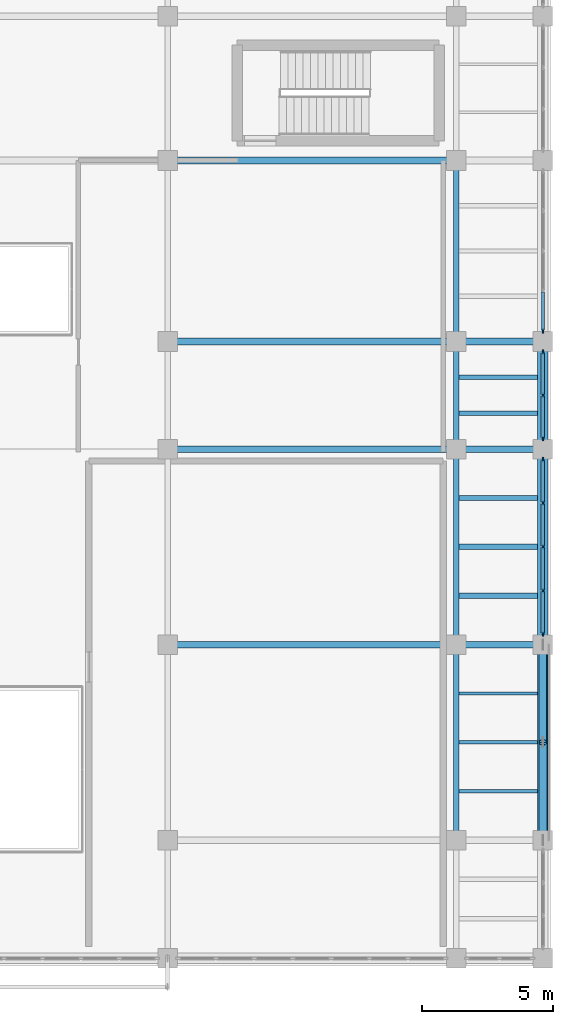
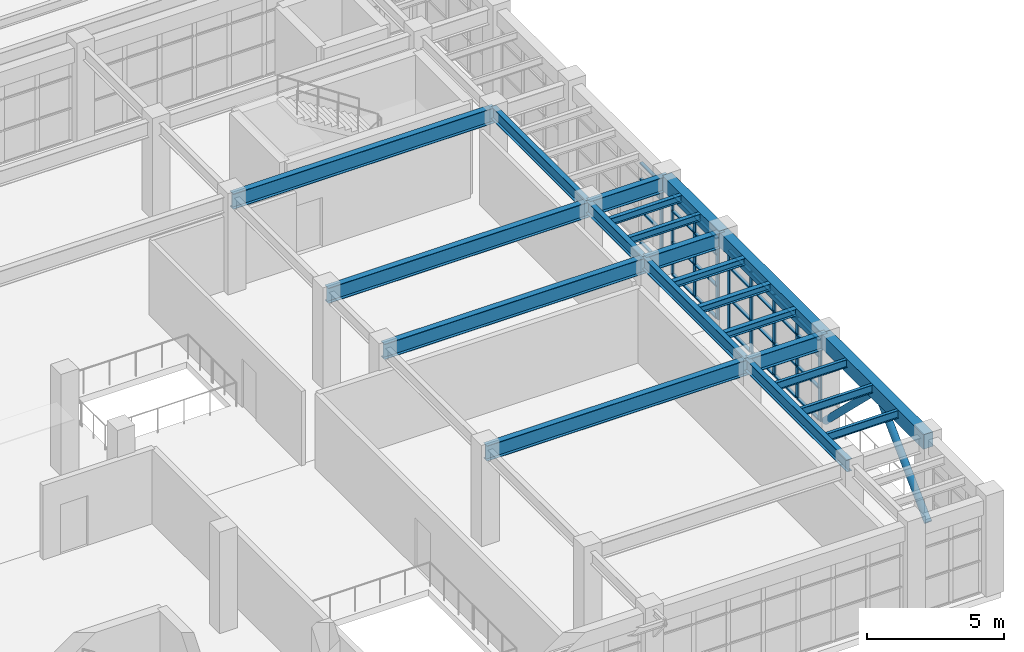
# One storey, part 40 of 85: 39 members, 22 beams, 3 elements without a shape of their own.
"""IFC4 building model written with IfcOpenShell, lengths in metres."""

from ifc_helpers import new_model, si_unit, direction, frame, origin, origin_2d, place, context, subcontext, project, spatial, rectangle, hollow_circle, i_section, extrude, material, layer, layer_set, material_profile, profile_set, type_object, element, aggregate, save


model = new_model("IFC4")

# Units and contexts
model_context = context("Model", 3, precision=1e-05, world=origin(), true_north=direction((0.0, 1.0)))
body_context = subcontext(model_context, "Body", "Model", "MODEL_VIEW")
ifc_project = project(units=[si_unit("LENGTHUNIT", "METRE"), si_unit("AREAUNIT", "SQUARE_METRE"), si_unit("VOLUMEUNIT", "CUBIC_METRE"), si_unit("PLANEANGLEUNIT", "RADIAN"), si_unit("MASSUNIT", "GRAM", prefix="KILO")], contexts=[model_context])

# Site, building, storey
site_placement = place(None, origin())
site = spatial("IfcSite", under=ifc_project, at=site_placement, CompositionType="ELEMENT")
building_placement = place(site_placement, origin())
building = spatial("IfcBuilding", under=site, at=building_placement, Name="Candilejo Ridge Gondola Terminal", CompositionType="ELEMENT")
storey_placement = place(building_placement, frame((0.0, 0.0, 4.5)))
storey = spatial("IfcBuildingStorey", under=building, at=storey_placement, Name="L01", CompositionType="ELEMENT", Elevation=4.5)

# Curtain wall, members
ifc_material_1 = material(Name="Anodised aluminium AA 6063-T6", Category="aluminium")
ifc_layer_1 = layer(ifc_material_1, 0.169921875)
ifc_layer_set_1 = layer_set([ifc_layer_1], Name="ARC-CW-HALL-3800-670X359")
curtain_wall_type_1 = type_object("IfcCurtainWallType", Name="ARC-CW-HALL-3800-670X359", PredefinedType="NOTDEFINED", material=ifc_layer_set_1)
curtain_wall_1_placement = place(storey_placement, origin())
curtain_wall_1 = element("IfcCurtainWall", 1, at=curtain_wall_1_placement, inside=storey, type_object=curtain_wall_type_1, Name="Curtain wall V4 L01-114", PredefinedType="NOTDEFINED")
ifc_material_2 = material(Name="Anodised aluminium AA 6063-T6", Category="aluminium")
ifc_material_profile_1 = material_profile(ifc_material_2, rectangle(XDim=0.06494140625, YDim=0.179931640625, at=origin_2d()))
ifc_profile_set_1 = profile_set([ifc_material_profile_1], Name="Anodised aluminium AA 6063-T6")
member_type_1 = type_object("IfcMemberType", Name="ARC-CW-MULLION-180", PredefinedType="MULLION", material=ifc_profile_set_1)
member_1_placement = place(storey_placement, frame((175.300048828125, 18.657470703125, 0.0), z_axis=(0.0, 0.0, 1.0), x_axis=(-1.0, 0.0, 0.0)))
member_1 = element("IfcMember", 2, at=member_1_placement, type_object=member_type_1, Name="CW-67X35 mullion 1", PredefinedType="MULLION", context=body_context, shape_type="SweptSolid", body=[
    extrude(rectangle(XDim=0.06494140625, YDim=0.179931640625, at=origin_2d()), origin(), (0.0, 0.0, 1.0), 3.590087890625),
])
member_2_placement = place(storey_placement, frame((175.300048828125, 20.300048828125, 0.0), z_axis=(0.0, 0.0, 1.0), x_axis=(-1.0, 0.0, 0.0)))
member_2 = element("IfcMember", 3, at=member_2_placement, type_object=member_type_1, Name="CW-67X35 mullion 2", PredefinedType="MULLION", context=body_context, shape_type="SweptSolid", body=[
    extrude(rectangle(XDim=0.06494140625, YDim=0.179931640625, at=origin_2d()), origin(), (0.0, 0.0, 1.0), 3.590087890625),
])
member_3_placement = place(storey_placement, frame((175.300048828125, 21.97509765625, 0.0), z_axis=(0.0, 0.0, 1.0), x_axis=(-1.0, 0.0, 0.0)))
member_3 = element("IfcMember", 4, at=member_3_placement, type_object=member_type_1, Name="CW-67X35 mullion 3", PredefinedType="MULLION", context=body_context, shape_type="SweptSolid", body=[
    extrude(rectangle(XDim=0.06494140625, YDim=0.179931640625, at=origin_2d()), origin(), (0.0, 0.0, 1.0), 3.590087890625),
])
member_4_placement = place(storey_placement, frame((175.300048828125, 23.64990234375, 0.0), z_axis=(0.0, 0.0, 1.0), x_axis=(-1.0, 0.0, 0.0)))
member_4 = element("IfcMember", 5, at=member_4_placement, type_object=member_type_1, Name="CW-67X35 mullion 4", PredefinedType="MULLION", context=body_context, shape_type="SweptSolid", body=[
    extrude(rectangle(XDim=0.06494140625, YDim=0.179931640625, at=origin_2d()), origin(), (0.0, 0.0, 1.0), 3.590087890625),
])
member_5_placement = place(storey_placement, frame((175.300048828125, 25.29248046875, 0.0), z_axis=(0.0, 0.0, 1.0), x_axis=(-1.0, 0.0, 0.0)))
member_5 = element("IfcMember", 6, at=member_5_placement, type_object=member_type_1, Name="CW-67X35 mullion 5", PredefinedType="MULLION", context=body_context, shape_type="SweptSolid", body=[
    extrude(rectangle(XDim=0.06494140625, YDim=0.179931640625, at=origin_2d()), origin(), (0.0, 0.0, 1.0), 3.590087890625),
])

ifc_material_3 = material(Name="Anodised aluminium AA 6063-T6", Category="aluminium")
ifc_layer_2 = layer(ifc_material_3, 0.169921875)
ifc_layer_set_2 = layer_set([ifc_layer_2], Name="ARC-CW-HALL-3800-335X359")
curtain_wall_type_2 = type_object("IfcCurtainWallType", Name="ARC-CW-HALL-3800-335X359", PredefinedType="NOTDEFINED", material=ifc_layer_set_2)
curtain_wall_2_placement = place(storey_placement, origin())
curtain_wall_2 = element("IfcCurtainWall", 7, at=curtain_wall_2_placement, inside=storey, type_object=curtain_wall_type_2, Name="Curtain wall V4 L01-116", PredefinedType="NOTDEFINED")
member_6_placement = place(storey_placement, frame((175.300048828125, 26.107421875, 0.0), z_axis=(0.0, 0.0, 1.0), x_axis=(-1.0, 0.0, 0.0)))
member_6 = element("IfcMember", 8, at=member_6_placement, type_object=member_type_1, Name="CW-33X35 mullion 1", PredefinedType="MULLION", context=body_context, shape_type="SweptSolid", body=[
    extrude(rectangle(XDim=0.06494140625, YDim=0.179931640625, at=origin_2d()), origin(), (0.0, 0.0, 1.0), 3.590087890625),
])
member_7_placement = place(storey_placement, frame((175.300048828125, 27.75, 0.0), z_axis=(0.0, 0.0, 1.0), x_axis=(-1.0, 0.0, 0.0)))
member_7 = element("IfcMember", 9, at=member_7_placement, type_object=member_type_1, Name="CW-33X35 mullion 2", PredefinedType="MULLION", context=body_context, shape_type="SweptSolid", body=[
    extrude(rectangle(XDim=0.06494140625, YDim=0.179931640625, at=origin_2d()), origin(), (0.0, 0.0, 1.0), 3.590087890625),
])
member_8_placement = place(storey_placement, frame((175.300048828125, 29.392578125, 0.0), z_axis=(0.0, 0.0, 1.0), x_axis=(-1.0, 0.0, 0.0)))
member_8 = element("IfcMember", 10, at=member_8_placement, type_object=member_type_1, Name="CW-33X35 mullion 3", PredefinedType="MULLION", context=body_context, shape_type="SweptSolid", body=[
    extrude(rectangle(XDim=0.06494140625, YDim=0.179931640625, at=origin_2d()), origin(), (0.0, 0.0, 1.0), 3.590087890625),
])

# Curtain wall, member
ifc_material_4 = material(Name="Anodised aluminium AA 6063-T6", Category="aluminium")
ifc_layer_3 = layer(ifc_material_4, 0.169921875)
ifc_layer_set_3 = layer_set([ifc_layer_3], Name="ARC-CW-HALL-3800-615X359")
curtain_wall_type_3 = type_object("IfcCurtainWallType", Name="ARC-CW-HALL-3800-615X359", PredefinedType="NOTDEFINED", material=ifc_layer_set_3)
curtain_wall_3_placement = place(storey_placement, origin())
curtain_wall_3 = element("IfcCurtainWall", 11, at=curtain_wall_3_placement, inside=storey, type_object=curtain_wall_type_3, Name="Curtain wall V4 L01-118", PredefinedType="NOTDEFINED")
member_9_placement = place(storey_placement, frame((175.300048828125, 30.20751953125, 0.0), z_axis=(0.0, 0.0, 1.0), x_axis=(-1.0, 0.0, 0.0)))
member_9 = element("IfcMember", 12, at=member_9_placement, type_object=member_type_1, Name="CW-61X35 mullion 1", PredefinedType="MULLION", context=body_context, shape_type="SweptSolid", body=[
    extrude(rectangle(XDim=0.06494140625, YDim=0.179931640625, at=origin_2d()), origin(), (0.0, 0.0, 1.0), 3.590087890625),
])

# Member
ifc_material_5 = material(Name="Anodised aluminium AA 6063-T6", Category="aluminium")
ifc_material_profile_2 = material_profile(ifc_material_5, rectangle(XDim=0.1298828125, YDim=0.06005859375, at=origin_2d()))
ifc_profile_set_2 = profile_set([ifc_material_profile_2], Name="Anodised aluminium AA 6063-T6")
member_type_2 = type_object("IfcMemberType", Name="ARC-CW-TRANSOM-130", PredefinedType="USERDEFINED", material=ifc_profile_set_2)
member_10_placement = place(storey_placement, frame((175.300048828125, 18.68994140625, 0.030029296875), z_axis=(0.0, 1.0, 0.0), x_axis=(-1.0, 0.0, 0.0)))
member_10 = element("IfcMember", 13, at=member_10_placement, type_object=member_type_2, Name="CW-67X35 transom 1.1", ObjectType="TRANSOM", PredefinedType="USERDEFINED", context=body_context, shape_type="SweptSolid", body=[
    extrude(rectangle(XDim=0.1298828125, YDim=0.06005859375, at=origin_2d()), origin(), (0.0, 0.0, 1.0), 1.57763671875),
])

member_11_placement = place(storey_placement, frame((175.300048828125, 18.68994140625, 1.449951171875), z_axis=(0.0, 1.0, 0.0), x_axis=(-1.0, 0.0, 0.0)))
member_11 = element("IfcMember", 14, at=member_11_placement, type_object=member_type_2, Name="CW-67X35 transom 1.2", ObjectType="TRANSOM", PredefinedType="USERDEFINED", context=body_context, shape_type="SweptSolid", body=[
    extrude(rectangle(XDim=0.1298828125, YDim=0.06005859375, at=origin_2d()), origin(), (0.0, 0.0, 1.0), 1.57763671875),
])

member_12_placement = place(storey_placement, frame((175.300048828125, 18.68994140625, 2.85009765625), z_axis=(0.0, 1.0, 0.0), x_axis=(-1.0, 0.0, 0.0)))
member_12 = element("IfcMember", 15, at=member_12_placement, type_object=member_type_2, Name="CW-67X35 transom 1.3", ObjectType="TRANSOM", PredefinedType="USERDEFINED", context=body_context, shape_type="SweptSolid", body=[
    extrude(rectangle(XDim=0.1298828125, YDim=0.06005859375, at=origin_2d()), origin(), (0.0, 0.0, 1.0), 1.57763671875),
])

member_13_placement = place(storey_placement, frame((175.300048828125, 18.68994140625, 3.56005859375), z_axis=(0.0, 1.0, 0.0), x_axis=(-1.0, 0.0, 0.0)))
member_13 = element("IfcMember", 16, at=member_13_placement, type_object=member_type_2, Name="CW-67X35 transom 1.4", ObjectType="TRANSOM", PredefinedType="USERDEFINED", context=body_context, shape_type="SweptSolid", body=[
    extrude(rectangle(XDim=0.1298828125, YDim=0.06005859375, at=origin_2d()), origin(), (0.0, 0.0, 1.0), 1.57763671875),
])

member_14_placement = place(storey_placement, frame((175.300048828125, 20.33251953125, 0.030029296875), z_axis=(0.0, 1.0, 0.0), x_axis=(-1.0, 0.0, 0.0)))
member_14 = element("IfcMember", 17, at=member_14_placement, type_object=member_type_2, Name="CW-67X35 transom 2.1", ObjectType="TRANSOM", PredefinedType="USERDEFINED", context=body_context, shape_type="SweptSolid", body=[
    extrude(rectangle(XDim=0.1298828125, YDim=0.06005859375, at=origin_2d()), origin(), (0.0, 0.0, 1.0), 1.60986328125),
])

member_15_placement = place(storey_placement, frame((175.300048828125, 20.33251953125, 1.449951171875), z_axis=(0.0, 1.0, 0.0), x_axis=(-1.0, 0.0, 0.0)))
member_15 = element("IfcMember", 18, at=member_15_placement, type_object=member_type_2, Name="CW-67X35 transom 2.2", ObjectType="TRANSOM", PredefinedType="USERDEFINED", context=body_context, shape_type="SweptSolid", body=[
    extrude(rectangle(XDim=0.1298828125, YDim=0.06005859375, at=origin_2d()), origin(), (0.0, 0.0, 1.0), 1.60986328125),
])

member_16_placement = place(storey_placement, frame((175.300048828125, 20.33251953125, 2.85009765625), z_axis=(0.0, 1.0, 0.0), x_axis=(-1.0, 0.0, 0.0)))
member_16 = element("IfcMember", 19, at=member_16_placement, type_object=member_type_2, Name="CW-67X35 transom 2.3", ObjectType="TRANSOM", PredefinedType="USERDEFINED", context=body_context, shape_type="SweptSolid", body=[
    extrude(rectangle(XDim=0.1298828125, YDim=0.06005859375, at=origin_2d()), origin(), (0.0, 0.0, 1.0), 1.60986328125),
])

member_17_placement = place(storey_placement, frame((175.300048828125, 20.33251953125, 3.56005859375), z_axis=(0.0, 1.0, 0.0), x_axis=(-1.0, 0.0, 0.0)))
member_17 = element("IfcMember", 20, at=member_17_placement, type_object=member_type_2, Name="CW-67X35 transom 2.4", ObjectType="TRANSOM", PredefinedType="USERDEFINED", context=body_context, shape_type="SweptSolid", body=[
    extrude(rectangle(XDim=0.1298828125, YDim=0.06005859375, at=origin_2d()), origin(), (0.0, 0.0, 1.0), 1.60986328125),
])

member_18_placement = place(storey_placement, frame((175.300048828125, 22.007568359375, 0.030029296875), z_axis=(0.0, 1.0, 0.0), x_axis=(-1.0, 0.0, 0.0)))
member_18 = element("IfcMember", 21, at=member_18_placement, type_object=member_type_2, Name="CW-67X35 transom 3.1", ObjectType="TRANSOM", PredefinedType="USERDEFINED", context=body_context, shape_type="SweptSolid", body=[
    extrude(rectangle(XDim=0.1298828125, YDim=0.06005859375, at=origin_2d()), origin(), (0.0, 0.0, 1.0), 1.60986328125),
])

member_19_placement = place(storey_placement, frame((175.300048828125, 22.007568359375, 1.449951171875), z_axis=(0.0, 1.0, 0.0), x_axis=(-1.0, 0.0, 0.0)))
member_19 = element("IfcMember", 22, at=member_19_placement, type_object=member_type_2, Name="CW-67X35 transom 3.2", ObjectType="TRANSOM", PredefinedType="USERDEFINED", context=body_context, shape_type="SweptSolid", body=[
    extrude(rectangle(XDim=0.1298828125, YDim=0.06005859375, at=origin_2d()), origin(), (0.0, 0.0, 1.0), 1.60986328125),
])

member_20_placement = place(storey_placement, frame((175.300048828125, 22.007568359375, 2.85009765625), z_axis=(0.0, 1.0, 0.0), x_axis=(-1.0, 0.0, 0.0)))
member_20 = element("IfcMember", 23, at=member_20_placement, type_object=member_type_2, Name="CW-67X35 transom 3.3", ObjectType="TRANSOM", PredefinedType="USERDEFINED", context=body_context, shape_type="SweptSolid", body=[
    extrude(rectangle(XDim=0.1298828125, YDim=0.06005859375, at=origin_2d()), origin(), (0.0, 0.0, 1.0), 1.60986328125),
])

member_21_placement = place(storey_placement, frame((175.300048828125, 22.007568359375, 3.56005859375), z_axis=(0.0, 1.0, 0.0), x_axis=(-1.0, 0.0, 0.0)))
member_21 = element("IfcMember", 24, at=member_21_placement, type_object=member_type_2, Name="CW-67X35 transom 3.4", ObjectType="TRANSOM", PredefinedType="USERDEFINED", context=body_context, shape_type="SweptSolid", body=[
    extrude(rectangle(XDim=0.1298828125, YDim=0.06005859375, at=origin_2d()), origin(), (0.0, 0.0, 1.0), 1.60986328125),
])

member_22_placement = place(storey_placement, frame((175.300048828125, 23.6826171875, 0.030029296875), z_axis=(0.0, 1.0, 0.0), x_axis=(-1.0, 0.0, 0.0)))
member_22 = element("IfcMember", 25, at=member_22_placement, type_object=member_type_2, Name="CW-67X35 transom 4.1", ObjectType="TRANSOM", PredefinedType="USERDEFINED", context=body_context, shape_type="SweptSolid", body=[
    extrude(rectangle(XDim=0.1298828125, YDim=0.06005859375, at=origin_2d()), origin(), (0.0, 0.0, 1.0), 1.577392578125),
])

member_23_placement = place(storey_placement, frame((175.300048828125, 23.6826171875, 1.449951171875), z_axis=(0.0, 1.0, 0.0), x_axis=(-1.0, 0.0, 0.0)))
member_23 = element("IfcMember", 26, at=member_23_placement, type_object=member_type_2, Name="CW-67X35 transom 4.2", ObjectType="TRANSOM", PredefinedType="USERDEFINED", context=body_context, shape_type="SweptSolid", body=[
    extrude(rectangle(XDim=0.1298828125, YDim=0.06005859375, at=origin_2d()), origin(), (0.0, 0.0, 1.0), 1.577392578125),
])

member_24_placement = place(storey_placement, frame((175.300048828125, 23.6826171875, 2.85009765625), z_axis=(0.0, 1.0, 0.0), x_axis=(-1.0, 0.0, 0.0)))
member_24 = element("IfcMember", 27, at=member_24_placement, type_object=member_type_2, Name="CW-67X35 transom 4.3", ObjectType="TRANSOM", PredefinedType="USERDEFINED", context=body_context, shape_type="SweptSolid", body=[
    extrude(rectangle(XDim=0.1298828125, YDim=0.06005859375, at=origin_2d()), origin(), (0.0, 0.0, 1.0), 1.577392578125),
])

member_25_placement = place(storey_placement, frame((175.300048828125, 23.6826171875, 3.56005859375), z_axis=(0.0, 1.0, 0.0), x_axis=(-1.0, 0.0, 0.0)))
member_25 = element("IfcMember", 28, at=member_25_placement, type_object=member_type_2, Name="CW-67X35 transom 4.4", ObjectType="TRANSOM", PredefinedType="USERDEFINED", context=body_context, shape_type="SweptSolid", body=[
    extrude(rectangle(XDim=0.1298828125, YDim=0.06005859375, at=origin_2d()), origin(), (0.0, 0.0, 1.0), 1.577392578125),
])

aggregate(curtain_wall_1, [member_1, member_2, member_3, member_4, member_5, member_10, member_11, member_12, member_13, member_14, member_15, member_16, member_17, member_18, member_19, member_20, member_21, member_22, member_23, member_24, member_25])

member_26_placement = place(storey_placement, frame((175.300048828125, 26.139892578125, 0.030029296875), z_axis=(0.0, 1.0, 0.0), x_axis=(-1.0, 0.0, 0.0)))
member_26 = element("IfcMember", 29, at=member_26_placement, type_object=member_type_2, Name="CW-33X35 transom 1.1", ObjectType="TRANSOM", PredefinedType="USERDEFINED", context=body_context, shape_type="SweptSolid", body=[
    extrude(rectangle(XDim=0.1298828125, YDim=0.06005859375, at=origin_2d()), origin(), (0.0, 0.0, 1.0), 1.57763671875),
])

member_27_placement = place(storey_placement, frame((175.300048828125, 26.139892578125, 1.449951171875), z_axis=(0.0, 1.0, 0.0), x_axis=(-1.0, 0.0, 0.0)))
member_27 = element("IfcMember", 30, at=member_27_placement, type_object=member_type_2, Name="CW-33X35 transom 1.2", ObjectType="TRANSOM", PredefinedType="USERDEFINED", context=body_context, shape_type="SweptSolid", body=[
    extrude(rectangle(XDim=0.1298828125, YDim=0.06005859375, at=origin_2d()), origin(), (0.0, 0.0, 1.0), 1.57763671875),
])

member_28_placement = place(storey_placement, frame((175.300048828125, 26.139892578125, 2.85009765625), z_axis=(0.0, 1.0, 0.0), x_axis=(-1.0, 0.0, 0.0)))
member_28 = element("IfcMember", 31, at=member_28_placement, type_object=member_type_2, Name="CW-33X35 transom 1.3", ObjectType="TRANSOM", PredefinedType="USERDEFINED", context=body_context, shape_type="SweptSolid", body=[
    extrude(rectangle(XDim=0.1298828125, YDim=0.06005859375, at=origin_2d()), origin(), (0.0, 0.0, 1.0), 1.57763671875),
])

member_29_placement = place(storey_placement, frame((175.300048828125, 26.139892578125, 3.56005859375), z_axis=(0.0, 1.0, 0.0), x_axis=(-1.0, 0.0, 0.0)))
member_29 = element("IfcMember", 32, at=member_29_placement, type_object=member_type_2, Name="CW-33X35 transom 1.4", ObjectType="TRANSOM", PredefinedType="USERDEFINED", context=body_context, shape_type="SweptSolid", body=[
    extrude(rectangle(XDim=0.1298828125, YDim=0.06005859375, at=origin_2d()), origin(), (0.0, 0.0, 1.0), 1.57763671875),
])

member_30_placement = place(storey_placement, frame((175.300048828125, 27.782470703125, 0.030029296875), z_axis=(0.0, 1.0, 0.0), x_axis=(-1.0, 0.0, 0.0)))
member_30 = element("IfcMember", 33, at=member_30_placement, type_object=member_type_2, Name="CW-33X35 transom 2.1", ObjectType="TRANSOM", PredefinedType="USERDEFINED", context=body_context, shape_type="SweptSolid", body=[
    extrude(rectangle(XDim=0.1298828125, YDim=0.06005859375, at=origin_2d()), origin(), (0.0, 0.0, 1.0), 1.57763671875),
])

member_31_placement = place(storey_placement, frame((175.300048828125, 27.782470703125, 1.449951171875), z_axis=(0.0, 1.0, 0.0), x_axis=(-1.0, 0.0, 0.0)))
member_31 = element("IfcMember", 34, at=member_31_placement, type_object=member_type_2, Name="CW-33X35 transom 2.2", ObjectType="TRANSOM", PredefinedType="USERDEFINED", context=body_context, shape_type="SweptSolid", body=[
    extrude(rectangle(XDim=0.1298828125, YDim=0.06005859375, at=origin_2d()), origin(), (0.0, 0.0, 1.0), 1.57763671875),
])

member_32_placement = place(storey_placement, frame((175.300048828125, 27.782470703125, 2.85009765625), z_axis=(0.0, 1.0, 0.0), x_axis=(-1.0, 0.0, 0.0)))
member_32 = element("IfcMember", 35, at=member_32_placement, type_object=member_type_2, Name="CW-33X35 transom 2.3", ObjectType="TRANSOM", PredefinedType="USERDEFINED", context=body_context, shape_type="SweptSolid", body=[
    extrude(rectangle(XDim=0.1298828125, YDim=0.06005859375, at=origin_2d()), origin(), (0.0, 0.0, 1.0), 1.57763671875),
])

member_33_placement = place(storey_placement, frame((175.300048828125, 27.782470703125, 3.56005859375), z_axis=(0.0, 1.0, 0.0), x_axis=(-1.0, 0.0, 0.0)))
member_33 = element("IfcMember", 36, at=member_33_placement, type_object=member_type_2, Name="CW-33X35 transom 2.4", ObjectType="TRANSOM", PredefinedType="USERDEFINED", context=body_context, shape_type="SweptSolid", body=[
    extrude(rectangle(XDim=0.1298828125, YDim=0.06005859375, at=origin_2d()), origin(), (0.0, 0.0, 1.0), 1.57763671875),
])

aggregate(curtain_wall_2, [member_6, member_7, member_8, member_26, member_27, member_28, member_29, member_30, member_31, member_32, member_33])

member_34_placement = place(storey_placement, frame((175.300048828125, 30.239990234375, 0.030029296875), z_axis=(0.0, 1.0, 0.0), x_axis=(-1.0, 0.0, 0.0)))
member_34 = element("IfcMember", 37, at=member_34_placement, type_object=member_type_2, Name="CW-61X35 transom 1.1", ObjectType="TRANSOM", PredefinedType="USERDEFINED", context=body_context, shape_type="SweptSolid", body=[
    extrude(rectangle(XDim=0.1298828125, YDim=0.06005859375, at=origin_2d()), origin(), (0.0, 0.0, 1.0), 1.43994140625),
])

member_35_placement = place(storey_placement, frame((175.300048828125, 30.239990234375, 1.449951171875), z_axis=(0.0, 1.0, 0.0), x_axis=(-1.0, 0.0, 0.0)))
member_35 = element("IfcMember", 38, at=member_35_placement, type_object=member_type_2, Name="CW-61X35 transom 1.2", ObjectType="TRANSOM", PredefinedType="USERDEFINED", context=body_context, shape_type="SweptSolid", body=[
    extrude(rectangle(XDim=0.1298828125, YDim=0.06005859375, at=origin_2d()), origin(), (0.0, 0.0, 1.0), 1.43994140625),
])

member_36_placement = place(storey_placement, frame((175.300048828125, 30.239990234375, 2.85009765625), z_axis=(0.0, 1.0, 0.0), x_axis=(-1.0, 0.0, 0.0)))
member_36 = element("IfcMember", 39, at=member_36_placement, type_object=member_type_2, Name="CW-61X35 transom 1.3", ObjectType="TRANSOM", PredefinedType="USERDEFINED", context=body_context, shape_type="SweptSolid", body=[
    extrude(rectangle(XDim=0.1298828125, YDim=0.06005859375, at=origin_2d()), origin(), (0.0, 0.0, 1.0), 1.43994140625),
])

member_37_placement = place(storey_placement, frame((175.300048828125, 30.239990234375, 3.56005859375), z_axis=(0.0, 1.0, 0.0), x_axis=(-1.0, 0.0, 0.0)))
member_37 = element("IfcMember", 40, at=member_37_placement, type_object=member_type_2, Name="CW-61X35 transom 1.4", ObjectType="TRANSOM", PredefinedType="USERDEFINED", context=body_context, shape_type="SweptSolid", body=[
    extrude(rectangle(XDim=0.1298828125, YDim=0.06005859375, at=origin_2d()), origin(), (0.0, 0.0, 1.0), 1.43994140625),
])

aggregate(curtain_wall_3, [member_9, member_34, member_35, member_36, member_37])

# Beams
ifc_material_6 = material(Name="Steel ASTM A992 Grade 50", Category="steel")
ifc_material_profile_3 = material_profile(ifc_material_6, i_section(OverallWidth=0.2109375, OverallDepth=0.5390625, WebThickness=0.01171875, FlangeThickness=0.018798828125, at=origin_2d()))
ifc_profile_set_3 = profile_set([ifc_material_profile_3], Name="Steel ASTM A992 Grade 50")
beam_type_1 = type_object("IfcBeamType", Name="STR-BM-W530X109", PredefinedType="BEAM", material=ifc_profile_set_3)
for number, where, z_axis, x_axis, name in (
    (41, (172.0, 10.800048828125, 3.930419921875), (0.0, 1.0, 0.0), (-1.0, 0.0, 0.0), "Beam Y V4 L01 Y02-Y03@X26"),
    (42, (172.0, 18.25, 3.930419921875), (0.0, 1.0, 0.0), (-1.0, 0.0, 0.0), "Beam Y V4 L01 Y03-Y05@X26"),
):
    element("IfcBeam", number, at=place(storey_placement, frame(where, z_axis=z_axis, x_axis=x_axis)), inside=storey, type_object=beam_type_1, Name=name, PredefinedType="BEAM", context=body_context, shape_type="SweptSolid", body=[
        extrude(i_section(OverallWidth=0.2109375, OverallDepth=0.5390625, WebThickness=0.01171875, FlangeThickness=0.018798828125, at=origin_2d()), origin(), (0.0, 0.0, 1.0), 7.449951171875),
    ])
beam_1_placement = place(storey_placement, frame((172.0, 25.699951171875, 3.930419921875), z_axis=(0.0, 1.0, 0.0), x_axis=(-1.0, 0.0, 0.0)))
element("IfcBeam", 43, at=beam_1_placement, inside=storey, type_object=beam_type_1, Name="Beam Y V4 L01 Y05-Y06@X26", PredefinedType="BEAM", context=body_context, shape_type="SweptSolid", body=[
    extrude(i_section(OverallWidth=0.2109375, OverallDepth=0.5390625, WebThickness=0.01171875, FlangeThickness=0.018798828125, at=origin_2d()), origin(), (0.0, 0.0, 1.0), 4.10009765625),
])
beam_2_placement = place(storey_placement, frame((172.0, 29.800048828125, 3.930419921875), z_axis=(0.0, 1.0, 0.0), x_axis=(-1.0, 0.0, 0.0)))
element("IfcBeam", 44, at=beam_2_placement, inside=storey, type_object=beam_type_1, Name="Beam Y V4 L01 Y06-Y07@X26", PredefinedType="BEAM", context=body_context, shape_type="SweptSolid", body=[
    extrude(i_section(OverallWidth=0.2109375, OverallDepth=0.5390625, WebThickness=0.01171875, FlangeThickness=0.018798828125, at=origin_2d()), origin(), (0.0, 0.0, 1.0), 6.89990234375),
])
ifc_material_7 = material(Name="Steel ASTM A992 Grade 50", Category="steel")
ifc_material_profile_4 = material_profile(ifc_material_7, i_section(OverallWidth=0.25390625, OverallDepth=0.68408203125, WebThickness=0.012451171875, FlangeThickness=0.018798828125, at=origin_2d()))
ifc_profile_set_4 = profile_set([ifc_material_profile_4], Name="Steel ASTM A992 Grade 50")
beam_type_2 = type_object("IfcBeamType", Name="STR-BM-W690X140", PredefinedType="BEAM", material=ifc_profile_set_4)
beam_3_placement = place(storey_placement, frame((161.0, 18.25, 3.85791015625), z_axis=(1.0, 0.0, 0.0), x_axis=(0.0, 1.0, 0.0)))
element("IfcBeam", 45, at=beam_3_placement, inside=storey, type_object=beam_type_2, Name="Beam X V4 L01 X24-X26@Y03", PredefinedType="BEAM", context=body_context, shape_type="SweptSolid", body=[
    extrude(i_section(OverallWidth=0.25390625, OverallDepth=0.68408203125, WebThickness=0.012451171875, FlangeThickness=0.018798828125, at=origin_2d()), origin(), (0.0, 0.0, 1.0), 11.0),
])
beam_4_placement = place(storey_placement, frame((172.0, 18.25, 3.85791015625), z_axis=(1.0, 0.0, 0.0), x_axis=(0.0, 1.0, 0.0)))
element("IfcBeam", 46, at=beam_4_placement, inside=storey, type_object=beam_type_2, Name="Beam X V4 L01 X26-X27@Y03", PredefinedType="BEAM", context=body_context, shape_type="SweptSolid", body=[
    extrude(i_section(OverallWidth=0.25390625, OverallDepth=0.68408203125, WebThickness=0.012451171875, FlangeThickness=0.018798828125, at=origin_2d()), origin(), (0.0, 0.0, 1.0), 3.300048828125),
])
beam_5_placement = place(storey_placement, frame((161.0, 25.699951171875, 3.85791015625), z_axis=(1.0, 0.0, 0.0), x_axis=(0.0, 1.0, 0.0)))
element("IfcBeam", 47, at=beam_5_placement, inside=storey, type_object=beam_type_2, Name="Beam X V4 L01 X24-X26@Y05", PredefinedType="BEAM", context=body_context, shape_type="SweptSolid", body=[
    extrude(i_section(OverallWidth=0.25390625, OverallDepth=0.68408203125, WebThickness=0.012451171875, FlangeThickness=0.018798828125, at=origin_2d()), origin(), (0.0, 0.0, 1.0), 11.0),
])
beam_6_placement = place(storey_placement, frame((172.0, 25.699951171875, 3.85791015625), z_axis=(1.0, 0.0, 0.0), x_axis=(0.0, 1.0, 0.0)))
element("IfcBeam", 48, at=beam_6_placement, inside=storey, type_object=beam_type_2, Name="Beam X V4 L01 X26-X27@Y05", PredefinedType="BEAM", context=body_context, shape_type="SweptSolid", body=[
    extrude(i_section(OverallWidth=0.25390625, OverallDepth=0.68408203125, WebThickness=0.012451171875, FlangeThickness=0.018798828125, at=origin_2d()), origin(), (0.0, 0.0, 1.0), 3.300048828125),
])
beam_7_placement = place(storey_placement, frame((161.0, 29.800048828125, 3.85791015625), z_axis=(1.0, 0.0, 0.0), x_axis=(0.0, 1.0, 0.0)))
element("IfcBeam", 49, at=beam_7_placement, inside=storey, type_object=beam_type_2, Name="Beam X V4 L01 X24-X26@Y06", PredefinedType="BEAM", context=body_context, shape_type="SweptSolid", body=[
    extrude(i_section(OverallWidth=0.25390625, OverallDepth=0.68408203125, WebThickness=0.012451171875, FlangeThickness=0.018798828125, at=origin_2d()), origin(), (0.0, 0.0, 1.0), 11.0),
])
beam_8_placement = place(storey_placement, frame((172.0, 29.800048828125, 3.85791015625), z_axis=(1.0, 0.0, 0.0), x_axis=(0.0, 1.0, 0.0)))
element("IfcBeam", 50, at=beam_8_placement, inside=storey, type_object=beam_type_2, Name="Beam X V4 L01 X26-X27@Y06", PredefinedType="BEAM", context=body_context, shape_type="SweptSolid", body=[
    extrude(i_section(OverallWidth=0.25390625, OverallDepth=0.68408203125, WebThickness=0.012451171875, FlangeThickness=0.018798828125, at=origin_2d()), origin(), (0.0, 0.0, 1.0), 3.300048828125),
])
beam_9_placement = place(storey_placement, frame((161.0, 36.699951171875, 3.85791015625), z_axis=(1.0, 0.0, 0.0), x_axis=(0.0, 1.0, 0.0)))
element("IfcBeam", 51, at=beam_9_placement, inside=storey, type_object=beam_type_2, Name="Beam X V4 L01 X24-X26@Y07", PredefinedType="BEAM", context=body_context, shape_type="SweptSolid", body=[
    extrude(i_section(OverallWidth=0.25390625, OverallDepth=0.68408203125, WebThickness=0.012451171875, FlangeThickness=0.018798828125, at=origin_2d()), origin(), (0.0, 0.0, 1.0), 11.0),
])

# Members
ifc_material_8 = material(Name="Steel ASTM A500 Grade C", Category="steel")
ifc_material_profile_5 = material_profile(ifc_material_8, hollow_circle(Radius=0.149169921875, WallThickness=0.009521484375, at=origin_2d()))
ifc_profile_set_5 = profile_set([ifc_material_profile_5], Name="Steel ASTM A500 Grade C")
member_type_3 = type_object("IfcMemberType", Name="STR-BRC-CHS298", PredefinedType="BRACE", material=ifc_profile_set_5)
member_38_placement = place(storey_placement, frame((175.300048828125, 10.800048828125, 0.25), z_axis=(0.0, 0.716647246544, 0.697435820718), x_axis=(-1.0, 0.0, 0.0)))
element("IfcMember", 52, at=member_38_placement, inside=storey, type_object=member_type_3, Name="Chevron brace V4 L01-05A", PredefinedType="BRACE", context=body_context, shape_type="SweptSolid", body=[
    extrude(hollow_circle(Radius=0.149169921875, WallThickness=0.009521484375, at=origin_2d()), origin(), (0.0, 0.0, 1.0), 5.197509765625),
])
member_39_placement = place(storey_placement, frame((175.300048828125, 18.25, 0.25), z_axis=(0.0, -0.716670093212, 0.697412343951), x_axis=(1.0, 0.0, 0.0)))
element("IfcMember", 53, at=member_39_placement, inside=storey, type_object=member_type_3, Name="Chevron brace V4 L01-05B", PredefinedType="BRACE", context=body_context, shape_type="SweptSolid", body=[
    extrude(hollow_circle(Radius=0.149169921875, WallThickness=0.009521484375, at=origin_2d()), origin(), (0.0, 0.0, 1.0), 5.19775390625),
])

# Beams
ifc_material_9 = material(Name="Steel ASTM A992 Grade 50", Category="steel")
ifc_material_profile_6 = material_profile(ifc_material_9, i_section(OverallWidth=0.166015625, OverallDepth=0.31298828125, WebThickness=0.006591796875, FlangeThickness=0.01123046875, at=origin_2d()))
ifc_profile_set_6 = profile_set([ifc_material_profile_6], Name="Steel ASTM A992 Grade 50")
beam_type_3 = type_object("IfcBeamType", Name="STR-JST-W310X44", PredefinedType="JOIST", material=ifc_profile_set_6)
for number, where, z_axis, x_axis, name in (
    (54, (172.10546875, 27.066650390625, 4.04345703125), (1.0, 0.0, 0.0), (0.0, 1.0, 0.0), "Composite joist V4 L01-0912"),
    (55, (172.10546875, 28.433349609375, 4.04345703125), (1.0, 0.0, 0.0), (0.0, 1.0, 0.0), "Composite joist V4 L01-0913"),
):
    element("IfcBeam", number, at=place(storey_placement, frame(where, z_axis=z_axis, x_axis=x_axis)), inside=storey, type_object=beam_type_3, Name=name, PredefinedType="JOIST", context=body_context, shape_type="SweptSolid", body=[
        extrude(i_section(OverallWidth=0.166015625, OverallDepth=0.31298828125, WebThickness=0.006591796875, FlangeThickness=0.01123046875, at=origin_2d()), origin(), (0.0, 0.0, 1.0), 2.99462890625),
    ])
ifc_material_10 = material(Name="Steel ASTM A992 Grade 50", Category="steel")
ifc_material_profile_7 = material_profile(ifc_material_10, i_section(OverallWidth=0.202880859375, OverallDepth=0.302978515625, WebThickness=0.007568359375, FlangeThickness=0.01318359375, at=origin_2d()))
ifc_profile_set_7 = profile_set([ifc_material_profile_7], Name="Steel ASTM A992 Grade 50")
beam_type_4 = type_object("IfcBeamType", Name="STR-JST-W310X60", PredefinedType="JOIST", material=ifc_profile_set_7)
for number, where, z_axis, x_axis, name in (
    (56, (172.10546875, 20.112548828125, 4.048583984375), (1.0, 0.0, 0.0), (0.0, 1.0, 0.0), "Composite joist V4 L01-0909"),
    (57, (172.10546875, 21.97509765625, 4.048583984375), (1.0, 0.0, 0.0), (0.0, 1.0, 0.0), "Composite joist V4 L01-0910"),
    (58, (172.10546875, 23.83740234375, 4.048583984375), (1.0, 0.0, 0.0), (0.0, 1.0, 0.0), "Composite joist V4 L01-0911"),
):
    element("IfcBeam", number, at=place(storey_placement, frame(where, z_axis=z_axis, x_axis=x_axis)), inside=storey, type_object=beam_type_4, Name=name, PredefinedType="JOIST", context=body_context, shape_type="SweptSolid", body=[
        extrude(i_section(OverallWidth=0.202880859375, OverallDepth=0.302978515625, WebThickness=0.007568359375, FlangeThickness=0.01318359375, at=origin_2d()), origin(), (0.0, 0.0, 1.0), 2.99462890625),
    ])
ifc_material_11 = material(Name="Steel ASTM A992 Grade 50", Category="steel")
ifc_material_profile_8 = material_profile(ifc_material_11, i_section(OverallWidth=0.1279296875, OverallDepth=0.35302734375, WebThickness=0.006591796875, FlangeThickness=0.0107421875, at=origin_2d()))
ifc_profile_set_8 = profile_set([ifc_material_profile_8], Name="Steel ASTM A992 Grade 50")
beam_type_5 = type_object("IfcBeamType", Name="STR-JST-W360X39", PredefinedType="JOIST", material=ifc_profile_set_8)
for number, where, z_axis, x_axis, name in (
    (59, (172.10546875, 12.66259765625, 4.0234375), (1.0, 0.0, 0.0), (0.0, 1.0, 0.0), "Composite joist V4 L01-0906"),
    (60, (172.10546875, 14.52490234375, 4.0234375), (1.0, 0.0, 0.0), (0.0, 1.0, 0.0), "Composite joist V4 L01-0907"),
    (61, (172.10546875, 16.387451171875, 4.0234375), (1.0, 0.0, 0.0), (0.0, 1.0, 0.0), "Composite joist V4 L01-0908"),
):
    element("IfcBeam", number, at=place(storey_placement, frame(where, z_axis=z_axis, x_axis=x_axis)), inside=storey, type_object=beam_type_5, Name=name, PredefinedType="JOIST", context=body_context, shape_type="SweptSolid", body=[
        extrude(i_section(OverallWidth=0.1279296875, OverallDepth=0.35302734375, WebThickness=0.006591796875, FlangeThickness=0.0107421875, at=origin_2d()), origin(), (0.0, 0.0, 1.0), 2.99462890625),
    ])
ifc_material_12 = material(Name="Concrete f'c 35 MPa (C35/45)", Category="concrete")
ifc_material_profile_9 = material_profile(ifc_material_12, rectangle(XDim=0.39990234375, YDim=0.64990234375, at=origin_2d()))
ifc_profile_set_9 = profile_set([ifc_material_profile_9], Name="Concrete f'c 35 MPa (C35/45)")
beam_type_6 = type_object("IfcBeamType", Name="STR-SPN-RC400X650", PredefinedType="SPANDREL", material=ifc_profile_set_9)
for number, where, z_axis, x_axis, name in (
    (62, (175.300048828125, 10.800048828125, 3.875), (0.0, 1.0, 0.0), (-1.0, 0.0, 0.0), "Beam Y V4 L01 Y02-Y03@X27"),
    (63, (175.300048828125, 18.25, 3.875), (0.0, 1.0, 0.0), (-1.0, 0.0, 0.0), "Beam Y V4 L01 Y03-Y05@X27"),
):
    element("IfcBeam", number, at=place(storey_placement, frame(where, z_axis=z_axis, x_axis=x_axis)), inside=storey, type_object=beam_type_6, Name=name, PredefinedType="SPANDREL", context=body_context, shape_type="SweptSolid", body=[
        extrude(rectangle(XDim=0.39990234375, YDim=0.64990234375, at=origin_2d()), origin(), (0.0, 0.0, 1.0), 7.449951171875),
    ])
beam_10_placement = place(storey_placement, frame((175.300048828125, 25.699951171875, 3.875), z_axis=(0.0, 1.0, 0.0), x_axis=(-1.0, 0.0, 0.0)))
element("IfcBeam", 64, at=beam_10_placement, inside=storey, type_object=beam_type_6, Name="Beam Y V4 L01 Y05-Y06@X27", PredefinedType="SPANDREL", context=body_context, shape_type="SweptSolid", body=[
    extrude(rectangle(XDim=0.39990234375, YDim=0.64990234375, at=origin_2d()), origin(), (0.0, 0.0, 1.0), 4.10009765625),
])

save(model, "model.ifc")
